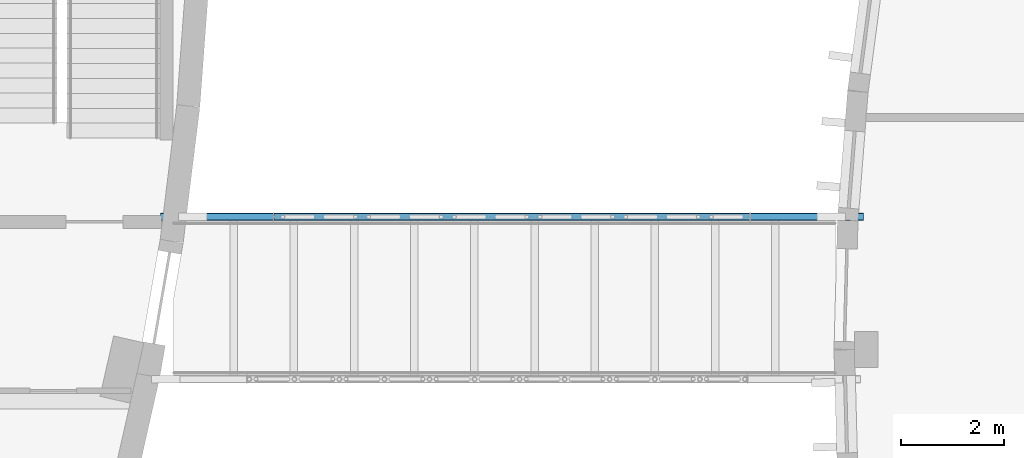
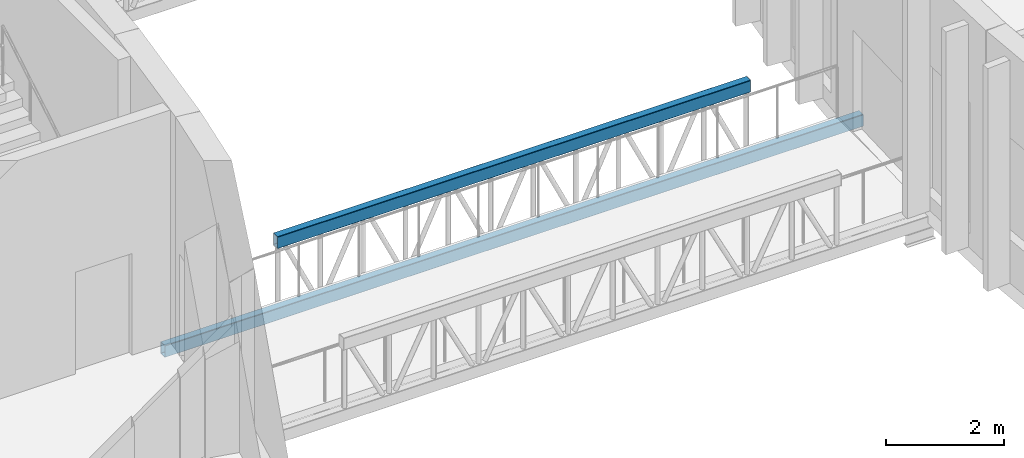
# One storey, part 29 of 93: 2 members.
"""IFC4 building model written with IfcOpenShell, lengths in metres."""

from ifc_helpers import new_model, si_unit, direction, frame, origin, origin_2d, place, context, subcontext, project, spatial, hollow_rectangle, extrude, material, material_profile, profile_set, type_object, element, save


model = new_model("IFC4")

# Units and contexts
model_context = context("Model", 3, precision=1e-05, world=origin(), true_north=direction((0.0, 1.0)))
body_context = subcontext(model_context, "Body", "Model", "MODEL_VIEW")
ifc_project = project(units=[si_unit("LENGTHUNIT", "METRE"), si_unit("AREAUNIT", "SQUARE_METRE"), si_unit("VOLUMEUNIT", "CUBIC_METRE"), si_unit("PLANEANGLEUNIT", "RADIAN"), si_unit("MASSUNIT", "GRAM", prefix="KILO")], contexts=[model_context])

# Site, building, storey
site_placement = place(None, origin())
site = spatial("IfcSite", under=ifc_project, at=site_placement, CompositionType="ELEMENT")
building_placement = place(site_placement, origin())
building = spatial("IfcBuilding", under=site, at=building_placement, Name="Tide Square Theatres", CompositionType="ELEMENT")
storey_placement = place(building_placement, frame((0.0, 0.0, 5.39990234375)))
storey = spatial("IfcBuildingStorey", under=building, at=storey_placement, Name="L01", CompositionType="ELEMENT", Elevation=5.39990234375)

# Members
ifc_material = material(Name="Steel ASTM A500 Grade C", Category="steel")
ifc_material_profile = material_profile(ifc_material, hollow_rectangle(XDim=0.14990234375, YDim=0.25, WallThickness=0.008056640625, InnerFilletRadius=0.008056640625, OuterFilletRadius=0.01611328125, at=origin_2d()))
ifc_profile_set = profile_set([ifc_material_profile], Name="Steel ASTM A500 Grade C")
member_type = type_object("IfcMemberType", Name="Steel chord RHS 250 x 150 x 8.0", PredefinedType="CHORD", material=ifc_profile_set)
member_1_placement = place(storey_placement, frame((117.943603515625, 47.574951171875, -0.27490234375), z_axis=(-1.0, 0.0, 0.0), x_axis=(0.0, -1.0, 0.0)))
element("IfcMember", 1, at=member_1_placement, inside=storey, type_object=member_type, Name="Bridge BR-E2 bottom chord", PredefinedType="CHORD", context=body_context, shape_type="SweptSolid", body=[
    extrude(hollow_rectangle(XDim=0.14990234375, YDim=0.25, WallThickness=0.008056640625, InnerFilletRadius=0.008056640625, OuterFilletRadius=0.01611328125, at=origin_2d()), origin(), (0.0, 0.0, 1.0), 13.631591796875),
])
member_2_placement = place(storey_placement, frame((115.743408203125, 47.574951171875, 1.2001953125), z_axis=(-1.0, 0.0, 0.0), x_axis=(0.0, -1.0, 0.0)))
element("IfcMember", 2, at=member_2_placement, inside=storey, type_object=member_type, Name="Bridge BR-E2 top chord", PredefinedType="CHORD", context=body_context, shape_type="SweptSolid", body=[
    extrude(hollow_rectangle(XDim=0.14990234375, YDim=0.25, WallThickness=0.008056640625, InnerFilletRadius=0.008056640625, OuterFilletRadius=0.01611328125, at=origin_2d()), origin(), (0.0, 0.0, 1.0), 9.2314453125),
])

save(model, "model.ifc")
